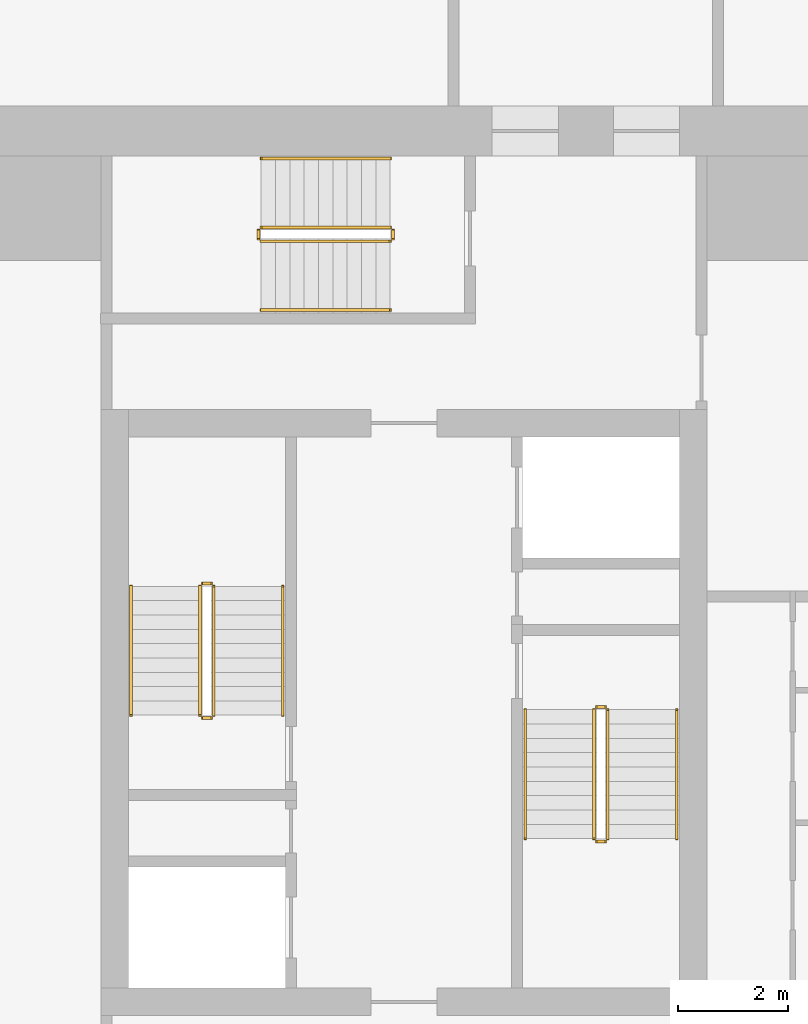
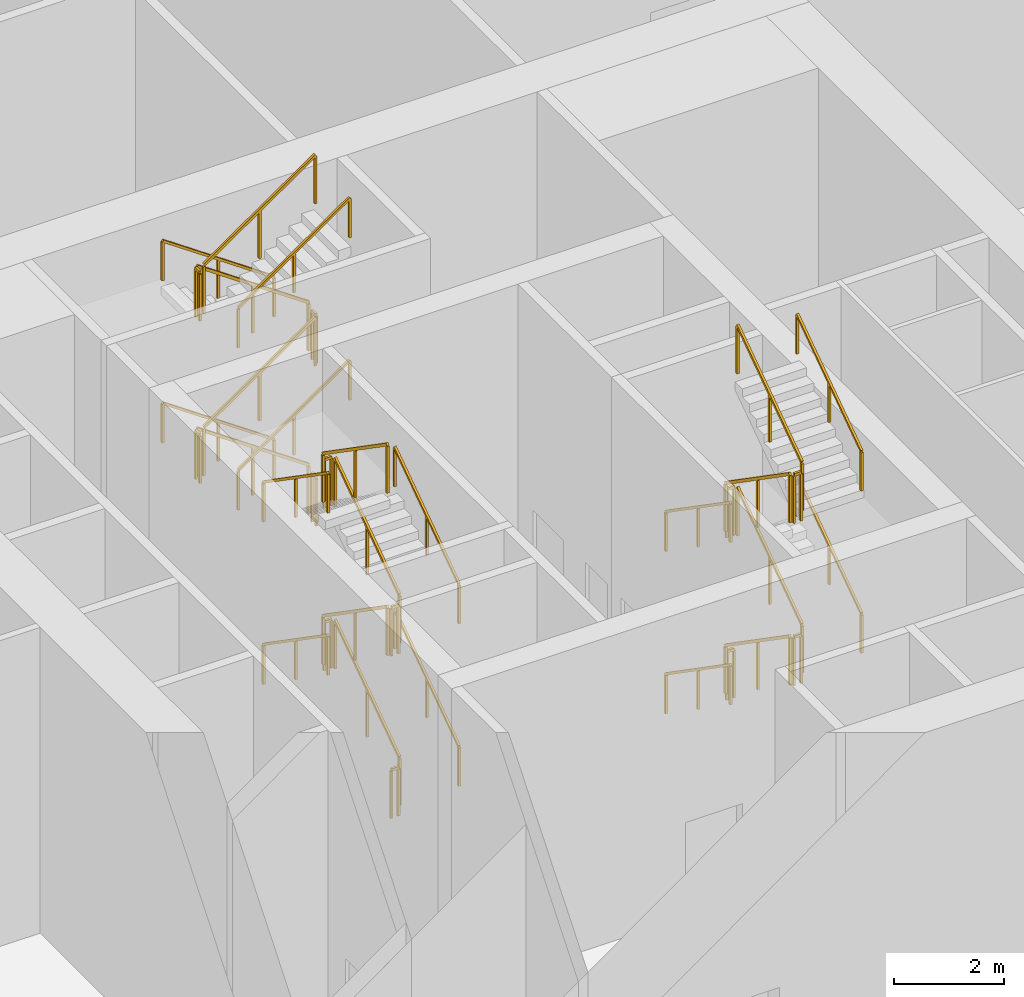
# One storey, part 39 of 43: 36 railings.
"""IFC4 building model written with IfcOpenShell, lengths in metres."""

import ifcopenshell
import ifcopenshell.guid

model = None  # the IFC model being written
_history = None  # IfcOwnerHistory: only IFC2X3 demands one
_inside = {}  # id of a spatial element -> (the spatial element, [elements in it])
_under = {}  # id of a project, library or spatial element -> (it, [spatial elements below it])
_declared = {}  # id of a project -> (the project, [libraries it declares])
_typed = {}  # id of a type object -> (the type object, [elements of that type])
_made_of = {}  # id of a material, layer set ... -> (it, [elements and type objects made of it])


def new_model(schema):
    """Start an empty IFC model of exactly this schema.

    Asked for "IFC4X3", IfcOpenShell would pick the latest addendum, in which some entities
    have other attributes; the version numbers below select the first issue.
    IFC2X3 requires an IfcOwnerHistory on every rooted entity: one is made here for all.
    """
    global model, _history
    if schema == "IFC4X3":
        model = ifcopenshell.file(schema_version=(4, 3, 0, 0))
    else:
        model = ifcopenshell.file(schema=schema)
    _inside.clear()
    _under.clear()
    _declared.clear()
    _typed.clear()
    _made_of.clear()
    _history = None
    if model.schema == "IFC2X3":
        org = make("IfcOrganization", Name="unknown")
        user = make(
            "IfcPersonAndOrganization",
            ThePerson=make("IfcPerson", FamilyName="unknown"),
            TheOrganization=org,
        )
        app = make(
            "IfcApplication",
            ApplicationDeveloper=org,
            Version="unknown",
            ApplicationFullName="unknown",
            ApplicationIdentifier="unknown",
        )
        _history = make(
            "IfcOwnerHistory",
            OwningUser=user,
            OwningApplication=app,
            ChangeAction="ADDED",
            CreationDate=0,
        )
    return model


def make(cls, **values):
    """One entity of the class cls with the attributes given. An attribute that is None is left unset."""
    return model.create_entity(
        cls, **{name: value for name, value in values.items() if value is not None}
    )


def rooted(cls, **values):
    """An entity with a GlobalId (a new one), such as an element, a storey or a relation."""
    return make(cls, GlobalId=ifcopenshell.guid.new(), OwnerHistory=_history, **values)


def si_unit(unit_type, name, prefix=None):
    """IfcSIUnit, for example si_unit("LENGTHUNIT", "METRE", prefix="MILLI")."""
    return make("IfcSIUnit", UnitType=unit_type, Prefix=prefix, Name=name)


def assignment(units):
    """IfcUnitAssignment: the units of a project."""
    return None if units is None else make("IfcUnitAssignment", Units=units)


def point(xyz):
    """IfcCartesianPoint."""
    return None if xyz is None else make("IfcCartesianPoint", Coordinates=xyz)


def direction(xyz):
    """IfcDirection."""
    return None if xyz is None else make("IfcDirection", DirectionRatios=xyz)


def frame(location, z_axis=None, x_axis=None):
    """IfcAxis2Placement3D, a coordinate frame: its origin and axes. An axis left out is left unset."""
    return make(
        "IfcAxis2Placement3D",
        Location=point(location),
        Axis=direction(z_axis),
        RefDirection=direction(x_axis),
    )


def frame_2d(location, x_axis=None):
    """IfcAxis2Placement2D, a coordinate frame in the plane: its origin and x axis."""
    return make(
        "IfcAxis2Placement2D", Location=point(location), RefDirection=direction(x_axis)
    )


def origin():
    """The frame at (0, 0, 0) with its axes left unset."""
    return frame((0.0, 0.0, 0.0))


def origin_2d():
    """The frame at (0, 0) in the plane with its x axis left unset."""
    return frame_2d((0.0, 0.0))


def place(relative_to, where):
    """IfcLocalPlacement: puts the frame where relative to a parent placement (None: the world)."""
    return make(
        "IfcLocalPlacement", PlacementRelTo=relative_to, RelativePlacement=where
    )


def context(
    kind, dimensions, precision=None, world=None, true_north=None, identifier=None
):
    """IfcGeometricRepresentationContext, for example the 3D "Model" context."""
    return make(
        "IfcGeometricRepresentationContext",
        ContextIdentifier=identifier,
        ContextType=kind,
        CoordinateSpaceDimension=dimensions,
        Precision=precision,
        WorldCoordinateSystem=world,
        TrueNorth=true_north,
    )


def subcontext(parent, identifier, kind, view, scale=None):
    """IfcGeometricRepresentationSubContext, for example "Body" below "Model"."""
    return make(
        "IfcGeometricRepresentationSubContext",
        ContextIdentifier=identifier,
        ContextType=kind,
        ParentContext=parent,
        TargetScale=scale,
        TargetView=view,
    )


def project(units=None, contexts=None):
    """IfcProject with its units and contexts."""
    return rooted(
        "IfcProject",
        Name="project",
        RepresentationContexts=contexts,
        UnitsInContext=assignment(units),
    )


def spatial(cls, under=None, at=None, **own):
    """A site, building, storey or space (cls), placed at a placement, below another one or the project."""
    s = rooted(cls, ObjectPlacement=at, **own)
    if under is not None:
        _under.setdefault(under.id(), (under, []))[1].append(s)
    return s


def profile(cls, at=None, kind="AREA", **sizes):
    """A parametric profile (cls). Its sizes go by their IFC names, for example OverallWidth=200.0."""
    return make(cls, ProfileType=kind, Position=at, **sizes)


def rectangle(**sizes):
    """IfcRectangleProfileDef."""
    return profile("IfcRectangleProfileDef", **sizes)


def extrude(swept, where, along, depth):
    """IfcExtrudedAreaSolid: the profile swept, set in the frame where, extruded along a direction by depth."""
    return make(
        "IfcExtrudedAreaSolid",
        SweptArea=swept,
        Position=where,
        ExtrudedDirection=direction(along),
        Depth=depth,
    )


def shape(context_of_items, identifier, shape_type, items):
    """IfcShapeRepresentation: the items that make up one representation, for example the "Body"."""
    return make(
        "IfcShapeRepresentation",
        ContextOfItems=context_of_items,
        RepresentationIdentifier=identifier,
        RepresentationType=shape_type,
        Items=items,
    )


def material(Name=None, Category=None):
    """IfcMaterial."""
    return make("IfcMaterial", Name=Name, Category=Category)


def made_of(thing, what):
    """Note that an element or type object is made of a material, layer set ...; save() writes the relation."""
    if what is not None:
        _made_of.setdefault(what.id(), (what, []))[1].append(thing)
    return thing


def type_object(cls, material=None, **own):
    """A type object (cls), such as IfcWallType, which elements share."""
    return made_of(rooted(cls, **own), material)


def element(
    cls,
    number,
    at=None,
    inside=None,
    cuts=None,
    type_object=None,
    material=None,
    context=None,
    identifier="Body",
    shape_type=None,
    held_by="IfcProductDefinitionShape",
    body=None,
    shapes=None,
    **own,
):
    """One element of the class cls, such as IfcWall. Its Tag is "e" and its number.

    at: its placement. inside: the storey or other place that contains it. cuts: it is an
    opening in that element (IfcRelVoidsElement). A single representation is given by context,
    identifier, shape_type and body (its items); several are given by shapes. held_by: the class
    of the entity that holds the representations. save() writes the other relations.
    """
    e = rooted(cls, Tag="e%d" % number, ObjectPlacement=at, **own)
    if body is not None:
        shapes = [shape(context, identifier, shape_type, body)]
    if shapes is not None:
        e.Representation = make(held_by, Representations=shapes)
    if inside is not None:
        _inside.setdefault(inside.id(), (inside, []))[1].append(e)
    if cuts is not None:
        rooted(
            "IfcRelVoidsElement", RelatingBuildingElement=cuts, RelatedOpeningElement=e
        )
    if type_object is not None:
        _typed.setdefault(type_object.id(), (type_object, []))[1].append(e)
    return made_of(e, material)


def aggregate(whole, parts):
    """IfcRelAggregates: a whole, such as a stair, and the parts it consists of."""
    return rooted("IfcRelAggregates", RelatingObject=whole, RelatedObjects=parts)


def save(model, path):
    """Write the relations noted so far, then the file.

    IfcRelAggregates (storeys below a building ...), IfcRelContainedInSpatialStructure (elements
    in a storey), IfcRelDefinesByType, IfcRelAssociatesMaterial and IfcRelDeclares: one each for
    every whole, place, type object, material and project.
    """
    for whole, parts in _under.values():
        aggregate(whole, parts)
    for where, things in _inside.values():
        rooted(
            "IfcRelContainedInSpatialStructure",
            RelatedElements=things,
            RelatingStructure=where,
        )
    for kind, things in _typed.values():
        rooted("IfcRelDefinesByType", RelatedObjects=things, RelatingType=kind)
    for what, things in _made_of.values():
        rooted("IfcRelAssociatesMaterial", RelatedObjects=things, RelatingMaterial=what)
    for by, libraries in _declared.values():
        rooted("IfcRelDeclares", RelatingContext=by, RelatedDefinitions=libraries)
    model.write(path)


model = new_model("IFC4")

# Units and contexts
model_context = context("Model", 3, precision=1e-05, world=origin(), true_north=direction((0.0, 1.0)))
body_context = subcontext(model_context, "Body", "Model", "MODEL_VIEW")
ifc_project = project(units=[si_unit("LENGTHUNIT", "METRE"), si_unit("AREAUNIT", "SQUARE_METRE"), si_unit("VOLUMEUNIT", "CUBIC_METRE"), si_unit("PLANEANGLEUNIT", "RADIAN"), si_unit("MASSUNIT", "GRAM", prefix="KILO")], contexts=[model_context])

# Site, building, storey
site_placement = place(None, origin())
site = spatial("IfcSite", under=ifc_project, at=site_placement, CompositionType="ELEMENT")
building_placement = place(site_placement, origin())
building = spatial("IfcBuilding", under=site, at=building_placement, Name="Khepri Terraces", CompositionType="ELEMENT")
storey_placement = place(building_placement, origin())
storey = spatial("IfcBuildingStorey", under=building, at=storey_placement, Name="L00", CompositionType="ELEMENT", Elevation=0.0)

# Railings
ifc_material = material(Name="Stainless steel 316", Category="steel")
railing_type_1 = type_object("IfcRailingType", Name="RL-CORE-GUARD", PredefinedType="GUARDRAIL", material=ifc_material)
railing_1_placement = place(storey_placement, frame((-3.449951171875, -0.050048828125, 0.179931640625)))
element("IfcRailing", 1, at=railing_1_placement, inside=storey, type_object=railing_type_1, Name="L00 ST-1 stair guard 1", PredefinedType="GUARDRAIL", context=body_context, shape_type="SweptSolid", body=[
    extrude(rectangle(XDim=0.050048828125, YDim=0.06005859375, at=origin_2d()), frame((0.0, 0.0, 1.070068359375), z_axis=(0.0, 0.822182927502, 0.569223360136), x_axis=(-1.0, 0.0, 0.0)), (0.0, 0.0, 1.0), 2.84619140625),
    extrude(rectangle(XDim=0.050048828125, YDim=0.050048828125, at=origin_2d()), origin(), (0.0, 0.0, 1.0), 1.0400390625),
    extrude(rectangle(XDim=0.050048828125, YDim=0.050048828125, at=origin_2d()), frame((0.0, 1.169921875, 0.81005859375)), (0.0, 0.0, 1.0), 1.0400390625),
    extrude(rectangle(XDim=0.050048828125, YDim=0.050048828125, at=origin_2d()), frame((0.0, 2.340087890625, 1.6201171875)), (0.0, 0.0, 1.0), 1.0400390625),
])
railing_2_placement = place(storey_placement, frame((-3.5, 2.340087890625, 1.800048828125)))
element("IfcRailing", 2, at=railing_2_placement, inside=storey, type_object=railing_type_1, Name="L00 ST-1 stair guard 2", PredefinedType="GUARDRAIL", context=body_context, shape_type="SweptSolid", body=[
    extrude(rectangle(XDim=0.050048828125, YDim=0.06005859375, at=origin_2d()), frame((0.0, 0.0, 1.070068359375), z_axis=(-1.0, 0.0, 0.0), x_axis=(0.0, -1.0, 0.0)), (0.0, 0.0, 1.0), 0.14990234375),
    extrude(rectangle(XDim=0.050048828125, YDim=0.050048828125, at=origin_2d()), origin(), (0.0, 0.0, 1.0), 1.0400390625),
    extrude(rectangle(XDim=0.050048828125, YDim=0.050048828125, at=origin_2d()), frame((-0.14990234375, 0.0, 0.0)), (0.0, 0.0, 1.0), 1.0400390625),
])
railing_3_placement = place(storey_placement, frame((-3.699951171875, 2.2900390625, 1.97998046875)))
element("IfcRailing", 3, at=railing_3_placement, inside=storey, type_object=railing_type_1, Name="L00 ST-1 stair guard 3", PredefinedType="GUARDRAIL", context=body_context, shape_type="SweptSolid", body=[
    extrude(rectangle(XDim=0.050048828125, YDim=0.06005859375, at=origin_2d()), frame((0.0, 0.0, 1.070068359375), z_axis=(0.0, -0.822182927502, 0.569223360136), x_axis=(1.0, 0.0, 0.0)), (0.0, 0.0, 1.0), 2.84619140625),
    extrude(rectangle(XDim=0.050048828125, YDim=0.050048828125, at=origin_2d()), origin(), (0.0, 0.0, 1.0), 1.0400390625),
    extrude(rectangle(XDim=0.050048828125, YDim=0.050048828125, at=origin_2d()), frame((0.0, -1.169921875, 0.81005859375)), (0.0, 0.0, 1.0), 1.0400390625),
    extrude(rectangle(XDim=0.050048828125, YDim=0.050048828125, at=origin_2d()), frame((0.0, -2.340087890625, 1.6201171875)), (0.0, 0.0, 1.0), 1.0400390625),
])
railing_4_placement = place(storey_placement, frame((-3.5, -0.10009765625, 3.60009765625)))
element("IfcRailing", 4, at=railing_4_placement, inside=storey, type_object=railing_type_1, Name="L00 ST-1 stair guard 4", PredefinedType="GUARDRAIL", context=body_context, shape_type="SweptSolid", body=[
    extrude(rectangle(XDim=0.050048828125, YDim=0.06005859375, at=origin_2d()), frame((0.0, 0.0, 1.070068359375), z_axis=(-1.0, 0.0, 0.0), x_axis=(0.0, -1.0, 0.0)), (0.0, 0.0, 1.0), 0.14990234375),
    extrude(rectangle(XDim=0.050048828125, YDim=0.050048828125, at=origin_2d()), origin(), (0.0, 0.0, 1.0), 1.0400390625),
    extrude(rectangle(XDim=0.050048828125, YDim=0.050048828125, at=origin_2d()), frame((-0.14990234375, 0.0, 0.0)), (0.0, 0.0, 1.0), 1.0400390625),
])
railing_5_placement = place(storey_placement, frame((-3.449951171875, -0.050048828125, 3.780029296875)))
element("IfcRailing", 5, at=railing_5_placement, inside=storey, type_object=railing_type_1, Name="L00 ST-1 stair guard 5", PredefinedType="GUARDRAIL", context=body_context, shape_type="SweptSolid", body=[
    extrude(rectangle(XDim=0.050048828125, YDim=0.06005859375, at=origin_2d()), frame((0.0, 0.0, 1.070068359375), z_axis=(0.0, 0.822223072051, 0.569165371211), x_axis=(-1.0, 0.0, 0.0)), (0.0, 0.0, 1.0), 2.845947265625),
    extrude(rectangle(XDim=0.050048828125, YDim=0.050048828125, at=origin_2d()), origin(), (0.0, 0.0, 1.0), 1.0400390625),
    extrude(rectangle(XDim=0.050048828125, YDim=0.050048828125, at=origin_2d()), frame((0.0, 1.169921875, 0.81005859375)), (0.0, 0.0, 1.0), 1.0400390625),
    extrude(rectangle(XDim=0.050048828125, YDim=0.050048828125, at=origin_2d()), frame((0.0, 2.340087890625, 1.619873046875)), (0.0, 0.0, 1.0), 1.0400390625),
])
railing_6_placement = place(storey_placement, frame((-3.5, 2.340087890625, 5.39990234375)))
element("IfcRailing", 6, at=railing_6_placement, inside=storey, type_object=railing_type_1, Name="L00 ST-1 stair guard 6", PredefinedType="GUARDRAIL", context=body_context, shape_type="SweptSolid", body=[
    extrude(rectangle(XDim=0.050048828125, YDim=0.06005859375, at=origin_2d()), frame((0.0, 0.0, 1.070068359375), z_axis=(-1.0, 0.0, 0.0), x_axis=(0.0, -1.0, 0.0)), (0.0, 0.0, 1.0), 0.14990234375),
    extrude(rectangle(XDim=0.050048828125, YDim=0.050048828125, at=origin_2d()), origin(), (0.0, 0.0, 1.0), 1.0400390625),
    extrude(rectangle(XDim=0.050048828125, YDim=0.050048828125, at=origin_2d()), frame((-0.14990234375, 0.0, 0.0)), (0.0, 0.0, 1.0), 1.0400390625),
])
railing_7_placement = place(storey_placement, frame((-3.699951171875, 2.2900390625, 5.580078125)))
element("IfcRailing", 7, at=railing_7_placement, inside=storey, type_object=railing_type_1, Name="L00 ST-1 stair guard 7", PredefinedType="GUARDRAIL", context=body_context, shape_type="SweptSolid", body=[
    extrude(rectangle(XDim=0.050048828125, YDim=0.06005859375, at=origin_2d()), frame((0.0, 0.0, 1.070068359375), z_axis=(0.0, -0.822223072051, 0.569165371211), x_axis=(1.0, 0.0, 0.0)), (0.0, 0.0, 1.0), 2.845947265625),
    extrude(rectangle(XDim=0.050048828125, YDim=0.050048828125, at=origin_2d()), origin(), (0.0, 0.0, 1.0), 1.0400390625),
    extrude(rectangle(XDim=0.050048828125, YDim=0.050048828125, at=origin_2d()), frame((0.0, -1.169921875, 0.81005859375)), (0.0, 0.0, 1.0), 1.0400390625),
    extrude(rectangle(XDim=0.050048828125, YDim=0.050048828125, at=origin_2d()), frame((0.0, -2.340087890625, 1.619873046875)), (0.0, 0.0, 1.0), 1.0400390625),
])
railing_8_placement = place(storey_placement, frame((-3.5, -0.10009765625, 0.0)))
element("IfcRailing", 8, at=railing_8_placement, inside=storey, type_object=railing_type_1, Name="L00 ST-1 stair guard 8", PredefinedType="GUARDRAIL", context=body_context, shape_type="SweptSolid", body=[
    extrude(rectangle(XDim=0.050048828125, YDim=0.06005859375, at=origin_2d()), frame((0.0, 0.0, 1.070068359375), z_axis=(-1.0, 0.0, 0.0), x_axis=(0.0, -1.0, 0.0)), (0.0, 0.0, 1.0), 0.14990234375),
    extrude(rectangle(XDim=0.050048828125, YDim=0.050048828125, at=origin_2d()), origin(), (0.0, 0.0, 1.0), 1.0400390625),
    extrude(rectangle(XDim=0.050048828125, YDim=0.050048828125, at=origin_2d()), frame((-0.14990234375, 0.0, 0.0)), (0.0, 0.0, 1.0), 1.0400390625),
])
railing_9_placement = place(storey_placement, frame((3.449951171875, 0.050048828125, 0.179931640625)))
element("IfcRailing", 9, at=railing_9_placement, inside=storey, type_object=railing_type_1, Name="L00 ST-2 stair guard 1", PredefinedType="GUARDRAIL", context=body_context, shape_type="SweptSolid", body=[
    extrude(rectangle(XDim=0.050048828125, YDim=0.06005859375, at=origin_2d()), frame((0.0, 0.0, 1.070068359375), z_axis=(0.0, -0.822182927502, 0.569223360136), x_axis=(1.0, 0.0, 0.0)), (0.0, 0.0, 1.0), 2.84619140625),
    extrude(rectangle(XDim=0.050048828125, YDim=0.050048828125, at=origin_2d()), origin(), (0.0, 0.0, 1.0), 1.0400390625),
    extrude(rectangle(XDim=0.050048828125, YDim=0.050048828125, at=origin_2d()), frame((0.0, -1.169921875, 0.81005859375)), (0.0, 0.0, 1.0), 1.0400390625),
    extrude(rectangle(XDim=0.050048828125, YDim=0.050048828125, at=origin_2d()), frame((0.0, -2.340087890625, 1.6201171875)), (0.0, 0.0, 1.0), 1.0400390625),
])
railing_10_placement = place(storey_placement, frame((3.5, -2.340087890625, 1.800048828125)))
element("IfcRailing", 10, at=railing_10_placement, inside=storey, type_object=railing_type_1, Name="L00 ST-2 stair guard 2", PredefinedType="GUARDRAIL", context=body_context, shape_type="SweptSolid", body=[
    extrude(rectangle(XDim=0.050048828125, YDim=0.06005859375, at=origin_2d()), frame((0.0, 0.0, 1.070068359375), z_axis=(1.0, 0.0, 0.0), x_axis=(0.0, 1.0, 0.0)), (0.0, 0.0, 1.0), 0.14990234375),
    extrude(rectangle(XDim=0.050048828125, YDim=0.050048828125, at=origin_2d()), origin(), (0.0, 0.0, 1.0), 1.0400390625),
    extrude(rectangle(XDim=0.050048828125, YDim=0.050048828125, at=origin_2d()), frame((0.14990234375, 0.0, 0.0)), (0.0, 0.0, 1.0), 1.0400390625),
])
railing_11_placement = place(storey_placement, frame((3.699951171875, -2.2900390625, 1.97998046875)))
element("IfcRailing", 11, at=railing_11_placement, inside=storey, type_object=railing_type_1, Name="L00 ST-2 stair guard 3", PredefinedType="GUARDRAIL", context=body_context, shape_type="SweptSolid", body=[
    extrude(rectangle(XDim=0.050048828125, YDim=0.06005859375, at=origin_2d()), frame((0.0, 0.0, 1.070068359375), z_axis=(0.0, 0.822182927502, 0.569223360136), x_axis=(-1.0, 0.0, 0.0)), (0.0, 0.0, 1.0), 2.84619140625),
    extrude(rectangle(XDim=0.050048828125, YDim=0.050048828125, at=origin_2d()), origin(), (0.0, 0.0, 1.0), 1.0400390625),
    extrude(rectangle(XDim=0.050048828125, YDim=0.050048828125, at=origin_2d()), frame((0.0, 1.169921875, 0.81005859375)), (0.0, 0.0, 1.0), 1.0400390625),
    extrude(rectangle(XDim=0.050048828125, YDim=0.050048828125, at=origin_2d()), frame((0.0, 2.340087890625, 1.6201171875)), (0.0, 0.0, 1.0), 1.0400390625),
])
railing_12_placement = place(storey_placement, frame((3.5, 0.10009765625, 3.60009765625)))
element("IfcRailing", 12, at=railing_12_placement, inside=storey, type_object=railing_type_1, Name="L00 ST-2 stair guard 4", PredefinedType="GUARDRAIL", context=body_context, shape_type="SweptSolid", body=[
    extrude(rectangle(XDim=0.050048828125, YDim=0.06005859375, at=origin_2d()), frame((0.0, 0.0, 1.070068359375), z_axis=(1.0, 0.0, 0.0), x_axis=(0.0, 1.0, 0.0)), (0.0, 0.0, 1.0), 0.14990234375),
    extrude(rectangle(XDim=0.050048828125, YDim=0.050048828125, at=origin_2d()), origin(), (0.0, 0.0, 1.0), 1.0400390625),
    extrude(rectangle(XDim=0.050048828125, YDim=0.050048828125, at=origin_2d()), frame((0.14990234375, 0.0, 0.0)), (0.0, 0.0, 1.0), 1.0400390625),
])
railing_13_placement = place(storey_placement, frame((3.449951171875, 0.050048828125, 3.780029296875)))
element("IfcRailing", 13, at=railing_13_placement, inside=storey, type_object=railing_type_1, Name="L00 ST-2 stair guard 5", PredefinedType="GUARDRAIL", context=body_context, shape_type="SweptSolid", body=[
    extrude(rectangle(XDim=0.050048828125, YDim=0.06005859375, at=origin_2d()), frame((0.0, 0.0, 1.070068359375), z_axis=(0.0, -0.822223072051, 0.569165371211), x_axis=(1.0, 0.0, 0.0)), (0.0, 0.0, 1.0), 2.845947265625),
    extrude(rectangle(XDim=0.050048828125, YDim=0.050048828125, at=origin_2d()), origin(), (0.0, 0.0, 1.0), 1.0400390625),
    extrude(rectangle(XDim=0.050048828125, YDim=0.050048828125, at=origin_2d()), frame((0.0, -1.169921875, 0.81005859375)), (0.0, 0.0, 1.0), 1.0400390625),
    extrude(rectangle(XDim=0.050048828125, YDim=0.050048828125, at=origin_2d()), frame((0.0, -2.340087890625, 1.619873046875)), (0.0, 0.0, 1.0), 1.0400390625),
])
railing_14_placement = place(storey_placement, frame((3.5, -2.340087890625, 5.39990234375)))
element("IfcRailing", 14, at=railing_14_placement, inside=storey, type_object=railing_type_1, Name="L00 ST-2 stair guard 6", PredefinedType="GUARDRAIL", context=body_context, shape_type="SweptSolid", body=[
    extrude(rectangle(XDim=0.050048828125, YDim=0.06005859375, at=origin_2d()), frame((0.0, 0.0, 1.070068359375), z_axis=(1.0, 0.0, 0.0), x_axis=(0.0, 1.0, 0.0)), (0.0, 0.0, 1.0), 0.14990234375),
    extrude(rectangle(XDim=0.050048828125, YDim=0.050048828125, at=origin_2d()), origin(), (0.0, 0.0, 1.0), 1.0400390625),
    extrude(rectangle(XDim=0.050048828125, YDim=0.050048828125, at=origin_2d()), frame((0.14990234375, 0.0, 0.0)), (0.0, 0.0, 1.0), 1.0400390625),
])
railing_15_placement = place(storey_placement, frame((3.699951171875, -2.2900390625, 5.580078125)))
element("IfcRailing", 15, at=railing_15_placement, inside=storey, type_object=railing_type_1, Name="L00 ST-2 stair guard 7", PredefinedType="GUARDRAIL", context=body_context, shape_type="SweptSolid", body=[
    extrude(rectangle(XDim=0.050048828125, YDim=0.06005859375, at=origin_2d()), frame((0.0, 0.0, 1.070068359375), z_axis=(0.0, 0.822223072051, 0.569165371211), x_axis=(-1.0, 0.0, 0.0)), (0.0, 0.0, 1.0), 2.845947265625),
    extrude(rectangle(XDim=0.050048828125, YDim=0.050048828125, at=origin_2d()), origin(), (0.0, 0.0, 1.0), 1.0400390625),
    extrude(rectangle(XDim=0.050048828125, YDim=0.050048828125, at=origin_2d()), frame((0.0, 1.169921875, 0.81005859375)), (0.0, 0.0, 1.0), 1.0400390625),
    extrude(rectangle(XDim=0.050048828125, YDim=0.050048828125, at=origin_2d()), frame((0.0, 2.340087890625, 1.619873046875)), (0.0, 0.0, 1.0), 1.0400390625),
])
railing_16_placement = place(storey_placement, frame((3.5, 0.10009765625, 0.0)))
element("IfcRailing", 16, at=railing_16_placement, inside=storey, type_object=railing_type_1, Name="L00 ST-2 stair guard 8", PredefinedType="GUARDRAIL", context=body_context, shape_type="SweptSolid", body=[
    extrude(rectangle(XDim=0.050048828125, YDim=0.06005859375, at=origin_2d()), frame((0.0, 0.0, 1.070068359375), z_axis=(1.0, 0.0, 0.0), x_axis=(0.0, 1.0, 0.0)), (0.0, 0.0, 1.0), 0.14990234375),
    extrude(rectangle(XDim=0.050048828125, YDim=0.050048828125, at=origin_2d()), origin(), (0.0, 0.0, 1.0), 1.0400390625),
    extrude(rectangle(XDim=0.050048828125, YDim=0.050048828125, at=origin_2d()), frame((0.14990234375, 0.0, 0.0)), (0.0, 0.0, 1.0), 1.0400390625),
])
railing_17_placement = place(storey_placement, frame((-0.25, 8.800048828125, 0.179931640625)))
element("IfcRailing", 17, at=railing_17_placement, inside=storey, type_object=railing_type_1, Name="L00 ST-3 stair guard 1", PredefinedType="GUARDRAIL", context=body_context, shape_type="SweptSolid", body=[
    extrude(rectangle(XDim=0.050048828125, YDim=0.06005859375, at=origin_2d()), frame((0.0, 0.0, 1.070068359375), z_axis=(-0.822182927502, 0.0, 0.569223360136), x_axis=(0.0, -1.0, 0.0)), (0.0, 0.0, 1.0), 2.84619140625),
    extrude(rectangle(XDim=0.050048828125, YDim=0.050048828125, at=origin_2d()), origin(), (0.0, 0.0, 1.0), 1.0400390625),
    extrude(rectangle(XDim=0.050048828125, YDim=0.050048828125, at=origin_2d()), frame((-1.169921875, 0.0, 0.81005859375)), (0.0, 0.0, 1.0), 1.0400390625),
    extrude(rectangle(XDim=0.050048828125, YDim=0.050048828125, at=origin_2d()), frame((-2.340087890625, 0.0, 1.6201171875)), (0.0, 0.0, 1.0), 1.0400390625),
])
railing_18_placement = place(storey_placement, frame((-2.639892578125, 8.75, 1.800048828125)))
element("IfcRailing", 18, at=railing_18_placement, inside=storey, type_object=railing_type_1, Name="L00 ST-3 stair guard 2", PredefinedType="GUARDRAIL", context=body_context, shape_type="SweptSolid", body=[
    extrude(rectangle(XDim=0.050048828125, YDim=0.06005859375, at=origin_2d()), frame((0.0, 0.0, 1.070068359375), z_axis=(0.0, -1.0, 0.0), x_axis=(1.0, 0.0, 0.0)), (0.0, 0.0, 1.0), 0.14990234375),
    extrude(rectangle(XDim=0.050048828125, YDim=0.050048828125, at=origin_2d()), origin(), (0.0, 0.0, 1.0), 1.0400390625),
    extrude(rectangle(XDim=0.050048828125, YDim=0.050048828125, at=origin_2d()), frame((0.0, -0.14990234375, 0.0)), (0.0, 0.0, 1.0), 1.0400390625),
])
railing_19_placement = place(storey_placement, frame((-2.590087890625, 8.550048828125, 1.97998046875)))
element("IfcRailing", 19, at=railing_19_placement, inside=storey, type_object=railing_type_1, Name="L00 ST-3 stair guard 3", PredefinedType="GUARDRAIL", context=body_context, shape_type="SweptSolid", body=[
    extrude(rectangle(XDim=0.050048828125, YDim=0.06005859375, at=origin_2d()), frame((0.0, 0.0, 1.070068359375), z_axis=(0.822182927502, 0.0, 0.569223360136), x_axis=(0.0, 1.0, 0.0)), (0.0, 0.0, 1.0), 2.84619140625),
    extrude(rectangle(XDim=0.050048828125, YDim=0.050048828125, at=origin_2d()), origin(), (0.0, 0.0, 1.0), 1.0400390625),
    extrude(rectangle(XDim=0.050048828125, YDim=0.050048828125, at=origin_2d()), frame((1.169921875, 0.0, 0.81005859375)), (0.0, 0.0, 1.0), 1.0400390625),
    extrude(rectangle(XDim=0.050048828125, YDim=0.050048828125, at=origin_2d()), frame((2.340087890625, 0.0, 1.6201171875)), (0.0, 0.0, 1.0), 1.0400390625),
])
railing_20_placement = place(storey_placement, frame((-0.199951171875, 8.75, 3.60009765625)))
element("IfcRailing", 20, at=railing_20_placement, inside=storey, type_object=railing_type_1, Name="L00 ST-3 stair guard 4", PredefinedType="GUARDRAIL", context=body_context, shape_type="SweptSolid", body=[
    extrude(rectangle(XDim=0.050048828125, YDim=0.06005859375, at=origin_2d()), frame((0.0, 0.0, 1.070068359375), z_axis=(0.0, -1.0, 0.0), x_axis=(1.0, 0.0, 0.0)), (0.0, 0.0, 1.0), 0.14990234375),
    extrude(rectangle(XDim=0.050048828125, YDim=0.050048828125, at=origin_2d()), origin(), (0.0, 0.0, 1.0), 1.0400390625),
    extrude(rectangle(XDim=0.050048828125, YDim=0.050048828125, at=origin_2d()), frame((0.0, -0.14990234375, 0.0)), (0.0, 0.0, 1.0), 1.0400390625),
])
railing_21_placement = place(storey_placement, frame((-0.25, 8.800048828125, 3.780029296875)))
element("IfcRailing", 21, at=railing_21_placement, inside=storey, type_object=railing_type_1, Name="L00 ST-3 stair guard 5", PredefinedType="GUARDRAIL", context=body_context, shape_type="SweptSolid", body=[
    extrude(rectangle(XDim=0.050048828125, YDim=0.06005859375, at=origin_2d()), frame((0.0, 0.0, 1.070068359375), z_axis=(-0.822223072051, 0.0, 0.569165371211), x_axis=(0.0, -1.0, 0.0)), (0.0, 0.0, 1.0), 2.845947265625),
    extrude(rectangle(XDim=0.050048828125, YDim=0.050048828125, at=origin_2d()), origin(), (0.0, 0.0, 1.0), 1.0400390625),
    extrude(rectangle(XDim=0.050048828125, YDim=0.050048828125, at=origin_2d()), frame((-1.169921875, 0.0, 0.81005859375)), (0.0, 0.0, 1.0), 1.0400390625),
    extrude(rectangle(XDim=0.050048828125, YDim=0.050048828125, at=origin_2d()), frame((-2.340087890625, 0.0, 1.619873046875)), (0.0, 0.0, 1.0), 1.0400390625),
])
railing_22_placement = place(storey_placement, frame((-2.639892578125, 8.75, 5.39990234375)))
element("IfcRailing", 22, at=railing_22_placement, inside=storey, type_object=railing_type_1, Name="L00 ST-3 stair guard 6", PredefinedType="GUARDRAIL", context=body_context, shape_type="SweptSolid", body=[
    extrude(rectangle(XDim=0.050048828125, YDim=0.06005859375, at=origin_2d()), frame((0.0, 0.0, 1.070068359375), z_axis=(0.0, -1.0, 0.0), x_axis=(1.0, 0.0, 0.0)), (0.0, 0.0, 1.0), 0.14990234375),
    extrude(rectangle(XDim=0.050048828125, YDim=0.050048828125, at=origin_2d()), origin(), (0.0, 0.0, 1.0), 1.0400390625),
    extrude(rectangle(XDim=0.050048828125, YDim=0.050048828125, at=origin_2d()), frame((0.0, -0.14990234375, 0.0)), (0.0, 0.0, 1.0), 1.0400390625),
])
railing_23_placement = place(storey_placement, frame((-2.590087890625, 8.550048828125, 5.580078125)))
element("IfcRailing", 23, at=railing_23_placement, inside=storey, type_object=railing_type_1, Name="L00 ST-3 stair guard 7", PredefinedType="GUARDRAIL", context=body_context, shape_type="SweptSolid", body=[
    extrude(rectangle(XDim=0.050048828125, YDim=0.06005859375, at=origin_2d()), frame((0.0, 0.0, 1.070068359375), z_axis=(0.822223072051, 0.0, 0.569165371211), x_axis=(0.0, 1.0, 0.0)), (0.0, 0.0, 1.0), 2.845947265625),
    extrude(rectangle(XDim=0.050048828125, YDim=0.050048828125, at=origin_2d()), origin(), (0.0, 0.0, 1.0), 1.0400390625),
    extrude(rectangle(XDim=0.050048828125, YDim=0.050048828125, at=origin_2d()), frame((1.169921875, 0.0, 0.81005859375)), (0.0, 0.0, 1.0), 1.0400390625),
    extrude(rectangle(XDim=0.050048828125, YDim=0.050048828125, at=origin_2d()), frame((2.340087890625, 0.0, 1.619873046875)), (0.0, 0.0, 1.0), 1.0400390625),
])
railing_24_placement = place(storey_placement, frame((-0.199951171875, 8.75, 0.0)))
element("IfcRailing", 24, at=railing_24_placement, inside=storey, type_object=railing_type_1, Name="L00 ST-3 stair guard 8", PredefinedType="GUARDRAIL", context=body_context, shape_type="SweptSolid", body=[
    extrude(rectangle(XDim=0.050048828125, YDim=0.06005859375, at=origin_2d()), frame((0.0, 0.0, 1.070068359375), z_axis=(0.0, -1.0, 0.0), x_axis=(1.0, 0.0, 0.0)), (0.0, 0.0, 1.0), 0.14990234375),
    extrude(rectangle(XDim=0.050048828125, YDim=0.050048828125, at=origin_2d()), origin(), (0.0, 0.0, 1.0), 1.0400390625),
    extrude(rectangle(XDim=0.050048828125, YDim=0.050048828125, at=origin_2d()), frame((0.0, -0.14990234375, 0.0)), (0.0, 0.0, 1.0), 1.0400390625),
])
railing_type_2 = type_object("IfcRailingType", Name="RL-CORE-HANDRAIL", PredefinedType="HANDRAIL", material=ifc_material)
railing_25_placement = place(storey_placement, frame((-2.199951171875, -0.050048828125, 0.179931640625)))
element("IfcRailing", 25, at=railing_25_placement, inside=storey, type_object=railing_type_2, Name="L00 ST-1 stair handrail 1", PredefinedType="HANDRAIL", context=body_context, shape_type="SweptSolid", body=[
    extrude(rectangle(XDim=0.050048828125, YDim=0.050048828125, at=origin_2d()), frame((0.0, 0.0, 0.875), z_axis=(0.0, 0.822182927502, 0.569223360136), x_axis=(-1.0, 0.0, 0.0)), (0.0, 0.0, 1.0), 2.84619140625),
    extrude(rectangle(XDim=0.050048828125, YDim=0.050048828125, at=origin_2d()), origin(), (0.0, 0.0, 1.0), 0.849853515625),
    extrude(rectangle(XDim=0.050048828125, YDim=0.050048828125, at=origin_2d()), frame((0.0, 1.169921875, 0.81005859375)), (0.0, 0.0, 1.0), 0.849853515625),
    extrude(rectangle(XDim=0.050048828125, YDim=0.050048828125, at=origin_2d()), frame((0.0, 2.340087890625, 1.6201171875)), (0.0, 0.0, 1.0), 0.849853515625),
])
railing_26_placement = place(storey_placement, frame((-4.949951171875, 2.2900390625, 1.97998046875)))
element("IfcRailing", 26, at=railing_26_placement, inside=storey, type_object=railing_type_2, Name="L00 ST-1 stair handrail 2", PredefinedType="HANDRAIL", context=body_context, shape_type="SweptSolid", body=[
    extrude(rectangle(XDim=0.050048828125, YDim=0.050048828125, at=origin_2d()), frame((0.0, 0.0, 0.875), z_axis=(0.0, -0.822182927502, 0.569223360136), x_axis=(1.0, 0.0, 0.0)), (0.0, 0.0, 1.0), 2.84619140625),
    extrude(rectangle(XDim=0.050048828125, YDim=0.050048828125, at=origin_2d()), origin(), (0.0, 0.0, 1.0), 0.849853515625),
    extrude(rectangle(XDim=0.050048828125, YDim=0.050048828125, at=origin_2d()), frame((0.0, -1.169921875, 0.81005859375)), (0.0, 0.0, 1.0), 0.849853515625),
    extrude(rectangle(XDim=0.050048828125, YDim=0.050048828125, at=origin_2d()), frame((0.0, -2.340087890625, 1.6201171875)), (0.0, 0.0, 1.0), 0.849853515625),
])
railing_27_placement = place(storey_placement, frame((-2.199951171875, -0.050048828125, 3.780029296875)))
element("IfcRailing", 27, at=railing_27_placement, inside=storey, type_object=railing_type_2, Name="L00 ST-1 stair handrail 3", PredefinedType="HANDRAIL", context=body_context, shape_type="SweptSolid", body=[
    extrude(rectangle(XDim=0.050048828125, YDim=0.050048828125, at=origin_2d()), frame((0.0, 0.0, 0.875), z_axis=(0.0, 0.822223072051, 0.569165371211), x_axis=(-1.0, 0.0, 0.0)), (0.0, 0.0, 1.0), 2.845947265625),
    extrude(rectangle(XDim=0.050048828125, YDim=0.050048828125, at=origin_2d()), origin(), (0.0, 0.0, 1.0), 0.849853515625),
    extrude(rectangle(XDim=0.050048828125, YDim=0.050048828125, at=origin_2d()), frame((0.0, 1.169921875, 0.81005859375)), (0.0, 0.0, 1.0), 0.849853515625),
    extrude(rectangle(XDim=0.050048828125, YDim=0.050048828125, at=origin_2d()), frame((0.0, 2.340087890625, 1.619873046875)), (0.0, 0.0, 1.0), 0.849853515625),
])
railing_28_placement = place(storey_placement, frame((-4.949951171875, 2.2900390625, 5.580078125)))
element("IfcRailing", 28, at=railing_28_placement, inside=storey, type_object=railing_type_2, Name="L00 ST-1 stair handrail 4", PredefinedType="HANDRAIL", context=body_context, shape_type="SweptSolid", body=[
    extrude(rectangle(XDim=0.050048828125, YDim=0.050048828125, at=origin_2d()), frame((0.0, 0.0, 0.875), z_axis=(0.0, -0.822223072051, 0.569165371211), x_axis=(1.0, 0.0, 0.0)), (0.0, 0.0, 1.0), 2.845947265625),
    extrude(rectangle(XDim=0.050048828125, YDim=0.050048828125, at=origin_2d()), origin(), (0.0, 0.0, 1.0), 0.849853515625),
    extrude(rectangle(XDim=0.050048828125, YDim=0.050048828125, at=origin_2d()), frame((0.0, -1.169921875, 0.81005859375)), (0.0, 0.0, 1.0), 0.849853515625),
    extrude(rectangle(XDim=0.050048828125, YDim=0.050048828125, at=origin_2d()), frame((0.0, -2.340087890625, 1.619873046875)), (0.0, 0.0, 1.0), 0.849853515625),
])
railing_29_placement = place(storey_placement, frame((2.199951171875, 0.050048828125, 0.179931640625)))
element("IfcRailing", 29, at=railing_29_placement, inside=storey, type_object=railing_type_2, Name="L00 ST-2 stair handrail 1", PredefinedType="HANDRAIL", context=body_context, shape_type="SweptSolid", body=[
    extrude(rectangle(XDim=0.050048828125, YDim=0.050048828125, at=origin_2d()), frame((0.0, 0.0, 0.875), z_axis=(0.0, -0.822182927502, 0.569223360136), x_axis=(1.0, 0.0, 0.0)), (0.0, 0.0, 1.0), 2.84619140625),
    extrude(rectangle(XDim=0.050048828125, YDim=0.050048828125, at=origin_2d()), origin(), (0.0, 0.0, 1.0), 0.849853515625),
    extrude(rectangle(XDim=0.050048828125, YDim=0.050048828125, at=origin_2d()), frame((0.0, -1.169921875, 0.81005859375)), (0.0, 0.0, 1.0), 0.849853515625),
    extrude(rectangle(XDim=0.050048828125, YDim=0.050048828125, at=origin_2d()), frame((0.0, -2.340087890625, 1.6201171875)), (0.0, 0.0, 1.0), 0.849853515625),
])
railing_30_placement = place(storey_placement, frame((4.949951171875, -2.2900390625, 1.97998046875)))
element("IfcRailing", 30, at=railing_30_placement, inside=storey, type_object=railing_type_2, Name="L00 ST-2 stair handrail 2", PredefinedType="HANDRAIL", context=body_context, shape_type="SweptSolid", body=[
    extrude(rectangle(XDim=0.050048828125, YDim=0.050048828125, at=origin_2d()), frame((0.0, 0.0, 0.875), z_axis=(0.0, 0.822182927502, 0.569223360136), x_axis=(-1.0, 0.0, 0.0)), (0.0, 0.0, 1.0), 2.84619140625),
    extrude(rectangle(XDim=0.050048828125, YDim=0.050048828125, at=origin_2d()), origin(), (0.0, 0.0, 1.0), 0.849853515625),
    extrude(rectangle(XDim=0.050048828125, YDim=0.050048828125, at=origin_2d()), frame((0.0, 1.169921875, 0.81005859375)), (0.0, 0.0, 1.0), 0.849853515625),
    extrude(rectangle(XDim=0.050048828125, YDim=0.050048828125, at=origin_2d()), frame((0.0, 2.340087890625, 1.6201171875)), (0.0, 0.0, 1.0), 0.849853515625),
])
railing_31_placement = place(storey_placement, frame((2.199951171875, 0.050048828125, 3.780029296875)))
element("IfcRailing", 31, at=railing_31_placement, inside=storey, type_object=railing_type_2, Name="L00 ST-2 stair handrail 3", PredefinedType="HANDRAIL", context=body_context, shape_type="SweptSolid", body=[
    extrude(rectangle(XDim=0.050048828125, YDim=0.050048828125, at=origin_2d()), frame((0.0, 0.0, 0.875), z_axis=(0.0, -0.822223072051, 0.569165371211), x_axis=(1.0, 0.0, 0.0)), (0.0, 0.0, 1.0), 2.845947265625),
    extrude(rectangle(XDim=0.050048828125, YDim=0.050048828125, at=origin_2d()), origin(), (0.0, 0.0, 1.0), 0.849853515625),
    extrude(rectangle(XDim=0.050048828125, YDim=0.050048828125, at=origin_2d()), frame((0.0, -1.169921875, 0.81005859375)), (0.0, 0.0, 1.0), 0.849853515625),
    extrude(rectangle(XDim=0.050048828125, YDim=0.050048828125, at=origin_2d()), frame((0.0, -2.340087890625, 1.619873046875)), (0.0, 0.0, 1.0), 0.849853515625),
])
railing_32_placement = place(storey_placement, frame((4.949951171875, -2.2900390625, 5.580078125)))
element("IfcRailing", 32, at=railing_32_placement, inside=storey, type_object=railing_type_2, Name="L00 ST-2 stair handrail 4", PredefinedType="HANDRAIL", context=body_context, shape_type="SweptSolid", body=[
    extrude(rectangle(XDim=0.050048828125, YDim=0.050048828125, at=origin_2d()), frame((0.0, 0.0, 0.875), z_axis=(0.0, 0.822223072051, 0.569165371211), x_axis=(-1.0, 0.0, 0.0)), (0.0, 0.0, 1.0), 2.845947265625),
    extrude(rectangle(XDim=0.050048828125, YDim=0.050048828125, at=origin_2d()), origin(), (0.0, 0.0, 1.0), 0.849853515625),
    extrude(rectangle(XDim=0.050048828125, YDim=0.050048828125, at=origin_2d()), frame((0.0, 1.169921875, 0.81005859375)), (0.0, 0.0, 1.0), 0.849853515625),
    extrude(rectangle(XDim=0.050048828125, YDim=0.050048828125, at=origin_2d()), frame((0.0, 2.340087890625, 1.619873046875)), (0.0, 0.0, 1.0), 0.849853515625),
])
railing_33_placement = place(storey_placement, frame((-0.25, 10.050048828125, 0.179931640625)))
element("IfcRailing", 33, at=railing_33_placement, inside=storey, type_object=railing_type_2, Name="L00 ST-3 stair handrail 1", PredefinedType="HANDRAIL", context=body_context, shape_type="SweptSolid", body=[
    extrude(rectangle(XDim=0.050048828125, YDim=0.050048828125, at=origin_2d()), frame((0.0, 0.0, 0.875), z_axis=(-0.822182927502, 0.0, 0.569223360136), x_axis=(0.0, -1.0, 0.0)), (0.0, 0.0, 1.0), 2.84619140625),
    extrude(rectangle(XDim=0.050048828125, YDim=0.050048828125, at=origin_2d()), origin(), (0.0, 0.0, 1.0), 0.849853515625),
    extrude(rectangle(XDim=0.050048828125, YDim=0.050048828125, at=origin_2d()), frame((-1.169921875, 0.0, 0.81005859375)), (0.0, 0.0, 1.0), 0.849853515625),
    extrude(rectangle(XDim=0.050048828125, YDim=0.050048828125, at=origin_2d()), frame((-2.340087890625, 0.0, 1.6201171875)), (0.0, 0.0, 1.0), 0.849853515625),
])
railing_34_placement = place(storey_placement, frame((-2.590087890625, 7.300048828125, 1.97998046875)))
element("IfcRailing", 34, at=railing_34_placement, inside=storey, type_object=railing_type_2, Name="L00 ST-3 stair handrail 2", PredefinedType="HANDRAIL", context=body_context, shape_type="SweptSolid", body=[
    extrude(rectangle(XDim=0.050048828125, YDim=0.050048828125, at=origin_2d()), frame((0.0, 0.0, 0.875), z_axis=(0.822182927502, 0.0, 0.569223360136), x_axis=(0.0, 1.0, 0.0)), (0.0, 0.0, 1.0), 2.84619140625),
    extrude(rectangle(XDim=0.050048828125, YDim=0.050048828125, at=origin_2d()), origin(), (0.0, 0.0, 1.0), 0.849853515625),
    extrude(rectangle(XDim=0.050048828125, YDim=0.050048828125, at=origin_2d()), frame((1.169921875, 0.0, 0.81005859375)), (0.0, 0.0, 1.0), 0.849853515625),
    extrude(rectangle(XDim=0.050048828125, YDim=0.050048828125, at=origin_2d()), frame((2.340087890625, 0.0, 1.6201171875)), (0.0, 0.0, 1.0), 0.849853515625),
])
railing_35_placement = place(storey_placement, frame((-0.25, 10.050048828125, 3.780029296875)))
element("IfcRailing", 35, at=railing_35_placement, inside=storey, type_object=railing_type_2, Name="L00 ST-3 stair handrail 3", PredefinedType="HANDRAIL", context=body_context, shape_type="SweptSolid", body=[
    extrude(rectangle(XDim=0.050048828125, YDim=0.050048828125, at=origin_2d()), frame((0.0, 0.0, 0.875), z_axis=(-0.822223072051, 0.0, 0.569165371211), x_axis=(0.0, -1.0, 0.0)), (0.0, 0.0, 1.0), 2.845947265625),
    extrude(rectangle(XDim=0.050048828125, YDim=0.050048828125, at=origin_2d()), origin(), (0.0, 0.0, 1.0), 0.849853515625),
    extrude(rectangle(XDim=0.050048828125, YDim=0.050048828125, at=origin_2d()), frame((-1.169921875, 0.0, 0.81005859375)), (0.0, 0.0, 1.0), 0.849853515625),
    extrude(rectangle(XDim=0.050048828125, YDim=0.050048828125, at=origin_2d()), frame((-2.340087890625, 0.0, 1.619873046875)), (0.0, 0.0, 1.0), 0.849853515625),
])
railing_36_placement = place(storey_placement, frame((-2.590087890625, 7.300048828125, 5.580078125)))
element("IfcRailing", 36, at=railing_36_placement, inside=storey, type_object=railing_type_2, Name="L00 ST-3 stair handrail 4", PredefinedType="HANDRAIL", context=body_context, shape_type="SweptSolid", body=[
    extrude(rectangle(XDim=0.050048828125, YDim=0.050048828125, at=origin_2d()), frame((0.0, 0.0, 0.875), z_axis=(0.822223072051, 0.0, 0.569165371211), x_axis=(0.0, 1.0, 0.0)), (0.0, 0.0, 1.0), 2.845947265625),
    extrude(rectangle(XDim=0.050048828125, YDim=0.050048828125, at=origin_2d()), origin(), (0.0, 0.0, 1.0), 0.849853515625),
    extrude(rectangle(XDim=0.050048828125, YDim=0.050048828125, at=origin_2d()), frame((1.169921875, 0.0, 0.81005859375)), (0.0, 0.0, 1.0), 0.849853515625),
    extrude(rectangle(XDim=0.050048828125, YDim=0.050048828125, at=origin_2d()), frame((2.340087890625, 0.0, 1.619873046875)), (0.0, 0.0, 1.0), 0.849853515625),
])

save(model, "model.ifc")
